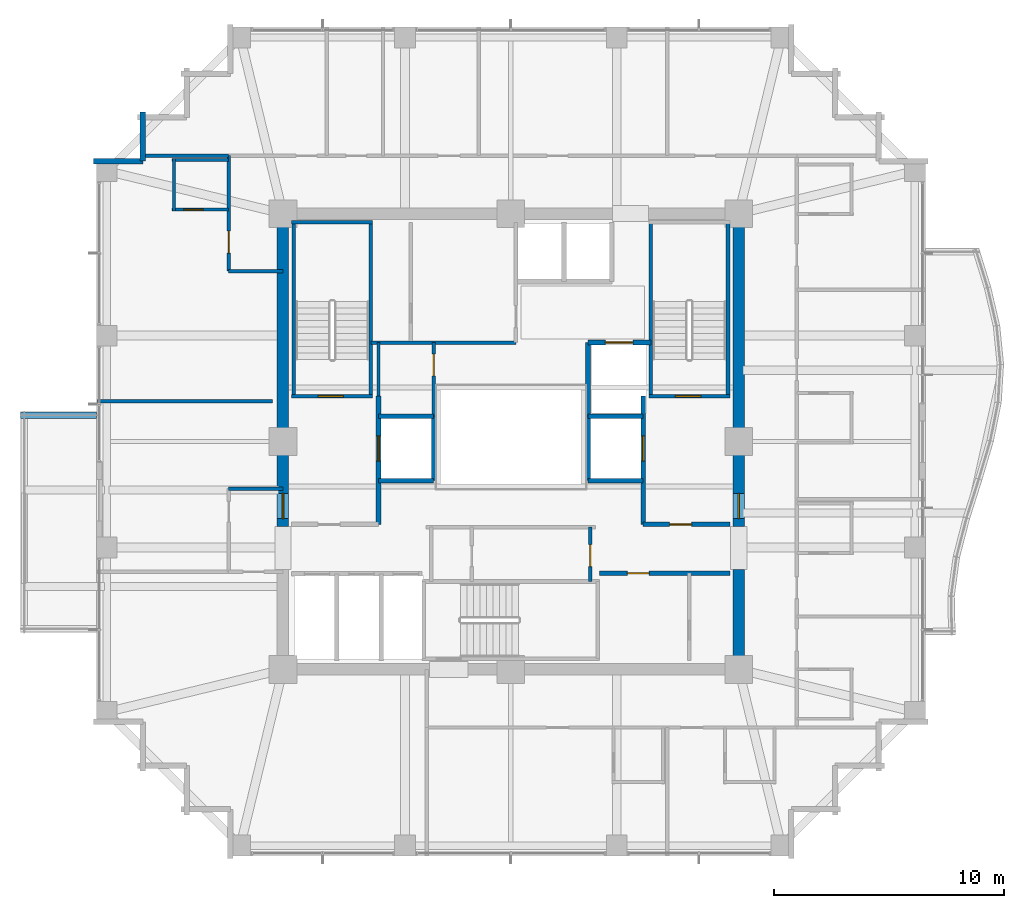
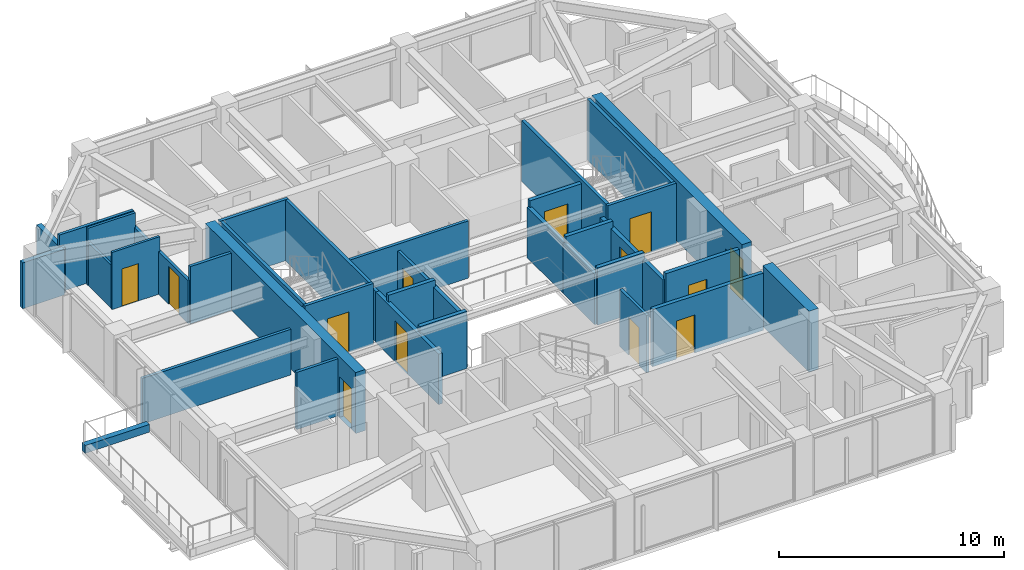
# One storey, part 28 of 32: 37 walls, 13 doors, 13 openings.
"""IFC4 building model written with IfcOpenShell, lengths in metres."""

from ifc_helpers import new_model, si_unit, direction, frame, frame_2d, origin, place, context, subcontext, project, spatial, rectangle, extrude, material, layer, layer_set, type_object, element, fill, save


model = new_model("IFC4")

# Units and contexts
model_context = context("Model", 3, precision=1e-05, world=origin(), true_north=direction((0.0, 1.0)))
body_context = subcontext(model_context, "Body", "Model", "MODEL_VIEW")
ifc_project = project(units=[si_unit("LENGTHUNIT", "METRE"), si_unit("AREAUNIT", "SQUARE_METRE"), si_unit("VOLUMEUNIT", "CUBIC_METRE"), si_unit("PLANEANGLEUNIT", "RADIAN"), si_unit("MASSUNIT", "GRAM", prefix="KILO")], contexts=[model_context])

# Site, building, storey
site_placement = place(None, origin())
site = spatial("IfcSite", under=ifc_project, at=site_placement, CompositionType="ELEMENT")
building_placement = place(site_placement, origin())
building = spatial("IfcBuilding", under=site, at=building_placement, Name="Kolvaren Belvedere", CompositionType="ELEMENT")
storey_placement = place(building_placement, frame((0.0, 0.0, 141.5)))
storey = spatial("IfcBuildingStorey", under=building, at=storey_placement, Name="L41", CompositionType="ELEMENT", Elevation=141.5)

# Wall
ifc_material_1 = material(Name="Concrete C50/60", Category="concrete")
ifc_layer_1 = layer(ifc_material_1, 0.5)
ifc_layer_set_1 = layer_set([ifc_layer_1], Name="Concrete C50/60")
wall_type_1 = type_object("IfcWallType", Name="CW-CORE-500", PredefinedType="SHEAR", material=ifc_layer_set_1)
wall_1_placement = place(storey_placement, frame((9.89990234375, -9.64990234375, 0.0), z_axis=(0.0, 0.0, 1.0), x_axis=(0.0, 1.0, 0.0)))
element("IfcWall", 1, at=wall_1_placement, inside=storey, type_object=wall_type_1, Name="L41 East Core Shear Wall 1", PredefinedType="SHEAR", context=body_context, shape_type="SweptSolid", body=[
    extrude(rectangle(XDim=4.099853515625, YDim=0.5, at=frame_2d((2.0498046875, 0.0))), origin(), (0.0, 0.0, 1.0), 3.300048828125),
])

# Wall, opening, door
wall_2_placement = place(storey_placement, frame((-9.89990234375, -3.699951171875, 0.0), z_axis=(0.0, 0.0, 1.0), x_axis=(0.0, 1.0, 0.0)))
wall_2 = element("IfcWall", 2, at=wall_2_placement, inside=storey, type_object=wall_type_1, Name="L41 West Core Shear Wall 2", PredefinedType="SHEAR", context=body_context, shape_type="SweptSolid", body=[
    extrude(rectangle(XDim=13.349853515625, YDim=0.5, at=frame_2d((6.6748046875, 0.0))), origin(), (0.0, 0.0, 1.0), 3.300048828125),
])
opening_1_placement = place(wall_2_placement, frame((0.35009765625, 0.0, 0.0)))
opening_1 = element("IfcOpeningElement", 3, at=opening_1_placement, cuts=wall_2, Name="Opening D-FD90", PredefinedType="OPENING", context=body_context, shape_type="SweptSolid", body=[
    extrude(rectangle(XDim=1.10009765625, YDim=2.199951171875, at=frame_2d((0.550048828125, 1.10009765625))), frame((0.0, 0.260009765625, 0.0), z_axis=(0.0, -1.0, 0.0), x_axis=(1.0, 0.0, 0.0)), (0.0, 0.0, 1.0), 0.52001953125),
])
ifc_material_2 = material(Name="Painted hollow stainless steel", Category="steel")
door_type_1 = type_object("IfcDoorType", Name="DR-FD90-1100", OperationType="NOTDEFINED", PredefinedType="DOOR", material=ifc_material_2)
door_1_placement = place(opening_1_placement, origin())
door_1 = element("IfcDoor", 4, at=door_1_placement, inside=storey, type_object=door_type_1, Name="L41 West Firefighting Lobby Fire Door", OperationType="SINGLE_SWING_LEFT", OverallHeight=2.199951171875, OverallWidth=1.10009765625, PredefinedType="DOOR", context=body_context, shape_type="SweptSolid", body=[
    extrude(rectangle(XDim=1.10009765625, YDim=2.199951171875, at=frame_2d((0.550048828125, 1.10009765625))), frame((0.0, 0.02490234375, 0.0), z_axis=(0.0, -1.0, 0.0), x_axis=(1.0, 0.0, 0.0)), (0.0, 0.0, 1.0), 0.050048828125),
])
fill(opening_1, door_1)

wall_3_placement = place(storey_placement, frame((9.89990234375, -3.699951171875, 0.0), z_axis=(0.0, 0.0, 1.0), x_axis=(0.0, 1.0, 0.0)))
wall_3 = element("IfcWall", 5, at=wall_3_placement, inside=storey, type_object=wall_type_1, Name="L41 East Core Shear Wall 2", PredefinedType="SHEAR", context=body_context, shape_type="SweptSolid", body=[
    extrude(rectangle(XDim=13.349853515625, YDim=0.5, at=frame_2d((6.6748046875, 0.0))), origin(), (0.0, 0.0, 1.0), 3.300048828125),
])
opening_2_placement = place(wall_3_placement, frame((0.35009765625, 0.0, 0.0)))
opening_2 = element("IfcOpeningElement", 6, at=opening_2_placement, cuts=wall_3, Name="Opening D-FD90", PredefinedType="OPENING", context=body_context, shape_type="SweptSolid", body=[
    extrude(rectangle(XDim=1.10009765625, YDim=2.199951171875, at=frame_2d((0.550048828125, 1.10009765625))), frame((0.0, 0.260009765625, 0.0), z_axis=(0.0, -1.0, 0.0), x_axis=(1.0, 0.0, 0.0)), (0.0, 0.0, 1.0), 0.52001953125),
])
door_2_placement = place(opening_2_placement, origin())
door_2 = element("IfcDoor", 7, at=door_2_placement, inside=storey, type_object=door_type_1, Name="L41 East Firefighting Lobby Fire Door", OperationType="SINGLE_SWING_RIGHT", OverallHeight=2.199951171875, OverallWidth=1.10009765625, PredefinedType="DOOR", context=body_context, shape_type="SweptSolid", body=[
    extrude(rectangle(XDim=1.10009765625, YDim=2.199951171875, at=frame_2d((0.550048828125, 1.10009765625))), frame((0.0, 0.02490234375, 0.0), z_axis=(0.0, -1.0, 0.0), x_axis=(1.0, 0.0, 0.0)), (0.0, 0.0, 1.0), 0.050048828125),
])
fill(opening_2, door_2)

ifc_material_3 = material(Name="Concrete C50/60", Category="concrete")
ifc_layer_2 = layer(ifc_material_3, 0.159912109375)
ifc_layer_set_2 = layer_set([ifc_layer_2], Name="Concrete C50/60")
wall_type_2 = type_object("IfcWallType", Name="CW-STAIR-160", PredefinedType="SHEAR", material=ifc_layer_set_2)
wall_4_placement = place(storey_placement, frame((-9.52001953125, 1.969970703125, 0.0), z_axis=(0.0, 0.0, 1.0), x_axis=(1.0, 0.0, 0.0)))
wall_4 = element("IfcWall", 8, at=wall_4_placement, inside=storey, type_object=wall_type_2, Name="L41 Stair ST-1 South Shear Wall", PredefinedType="SHEAR", context=body_context, shape_type="SweptSolid", body=[
    extrude(rectangle(XDim=3.52001953125, YDim=0.159912109375, at=frame_2d((1.760009765625, 0.0))), origin(), (0.0, 0.0, 1.0), 3.300048828125),
])
opening_3_placement = place(wall_4_placement, frame((1.14990234375, 0.0, 0.0)))
opening_3 = element("IfcOpeningElement", 9, at=opening_3_placement, cuts=wall_4, Name="Opening D-FD90", PredefinedType="OPENING", context=body_context, shape_type="SweptSolid", body=[
    extrude(rectangle(XDim=1.10009765625, YDim=2.199951171875, at=frame_2d((0.550048828125, 1.10009765625))), frame((0.0, 0.08984375, 0.0), z_axis=(0.0, -1.0, 0.0), x_axis=(1.0, 0.0, 0.0)), (0.0, 0.0, 1.0), 0.179931640625),
])
door_3_placement = place(opening_3_placement, origin())
door_3 = element("IfcDoor", 10, at=door_3_placement, inside=storey, type_object=door_type_1, Name="L41 Stair ST-1 Fire Door", OperationType="SINGLE_SWING_LEFT", OverallHeight=2.199951171875, OverallWidth=1.10009765625, PredefinedType="DOOR", context=body_context, shape_type="SweptSolid", body=[
    extrude(rectangle(XDim=1.10009765625, YDim=2.199951171875, at=frame_2d((0.550048828125, 1.10009765625))), frame((0.0, 0.02490234375, 0.0), z_axis=(0.0, -1.0, 0.0), x_axis=(1.0, 0.0, 0.0)), (0.0, 0.0, 1.0), 0.050048828125),
])
fill(opening_3, door_3)

# Walls
wall_5_placement = place(storey_placement, frame((-9.52001953125, 9.530029296875, 0.0), z_axis=(0.0, 0.0, 1.0), x_axis=(1.0, 0.0, 0.0)))
element("IfcWall", 11, at=wall_5_placement, inside=storey, type_object=wall_type_2, Name="L41 Stair ST-1 North Shear Wall", PredefinedType="SHEAR", context=body_context, shape_type="SweptSolid", body=[
    extrude(rectangle(XDim=3.52001953125, YDim=0.159912109375, at=frame_2d((1.760009765625, 0.0))), origin(), (0.0, 0.0, 1.0), 3.300048828125),
])
for number, where, z_axis, x_axis, name in (
    (12, (-9.429931640625, 1.969970703125, 0.0), (0.0, 0.0, 1.0), (0.0, 1.0, 0.0), "L41 Stair ST-1 West Shear Wall"),
    (13, (-6.080078125, 1.969970703125, 0.0), (0.0, 0.0, 1.0), (0.0, 1.0, 0.0), "L41 Stair ST-1 East Shear Wall"),
):
    element("IfcWall", number, at=place(storey_placement, frame(where, z_axis=z_axis, x_axis=x_axis)), inside=storey, type_object=wall_type_2, Name=name, PredefinedType="SHEAR", context=body_context, shape_type="SweptSolid", body=[
        extrude(rectangle(XDim=7.56005859375, YDim=0.159912109375, at=frame_2d((3.780029296875, 0.0))), origin(), (0.0, 0.0, 1.0), 3.300048828125),
    ])

# Wall, opening, door
wall_6_placement = place(storey_placement, frame((6.0, 1.969970703125, 0.0), z_axis=(0.0, 0.0, 1.0), x_axis=(1.0, 0.0, 0.0)))
wall_6 = element("IfcWall", 14, at=wall_6_placement, inside=storey, type_object=wall_type_2, Name="L41 Stair ST-2 South Shear Wall", PredefinedType="SHEAR", context=body_context, shape_type="SweptSolid", body=[
    extrude(rectangle(XDim=3.52001953125, YDim=0.159912109375, at=frame_2d((1.760009765625, 0.0))), origin(), (0.0, 0.0, 1.0), 3.300048828125),
])
opening_4_placement = place(wall_6_placement, frame((1.14990234375, 0.0, 0.0)))
opening_4 = element("IfcOpeningElement", 15, at=opening_4_placement, cuts=wall_6, Name="Opening D-FD90", PredefinedType="OPENING", context=body_context, shape_type="SweptSolid", body=[
    extrude(rectangle(XDim=1.10009765625, YDim=2.199951171875, at=frame_2d((0.550048828125, 1.10009765625))), frame((0.0, 0.08984375, 0.0), z_axis=(0.0, -1.0, 0.0), x_axis=(1.0, 0.0, 0.0)), (0.0, 0.0, 1.0), 0.179931640625),
])
door_4_placement = place(opening_4_placement, origin())
door_4 = element("IfcDoor", 16, at=door_4_placement, inside=storey, type_object=door_type_1, Name="L41 Stair ST-2 Fire Door", OperationType="SINGLE_SWING_RIGHT", OverallHeight=2.199951171875, OverallWidth=1.10009765625, PredefinedType="DOOR", context=body_context, shape_type="SweptSolid", body=[
    extrude(rectangle(XDim=1.10009765625, YDim=2.199951171875, at=frame_2d((0.550048828125, 1.10009765625))), frame((0.0, 0.02490234375, 0.0), z_axis=(0.0, -1.0, 0.0), x_axis=(1.0, 0.0, 0.0)), (0.0, 0.0, 1.0), 0.050048828125),
])
fill(opening_4, door_4)

# Walls
for number, where, z_axis, x_axis, name in (
    (17, (6.080078125, 1.969970703125, 0.0), (0.0, 0.0, 1.0), (0.0, 1.0, 0.0), "L41 Stair ST-2 West Shear Wall"),
    (18, (9.429931640625, 1.969970703125, 0.0), (0.0, 0.0, 1.0), (0.0, 1.0, 0.0), "L41 Stair ST-2 East Shear Wall"),
):
    element("IfcWall", number, at=place(storey_placement, frame(where, z_axis=z_axis, x_axis=x_axis)), inside=storey, type_object=wall_type_2, Name=name, PredefinedType="SHEAR", context=body_context, shape_type="SweptSolid", body=[
        extrude(rectangle(XDim=7.56005859375, YDim=0.159912109375, at=frame_2d((3.780029296875, 0.0))), origin(), (0.0, 0.0, 1.0), 3.300048828125),
    ])

# Wall, opening, door
ifc_material_4 = material(Name="Gypsum fire-rated partition assembly", Category="gypsum")
ifc_layer_3 = layer(ifc_material_4, 0.14990234375)
ifc_layer_set_3 = layer_set([ifc_layer_3], Name="Gypsum fire-rated partition assembly")
wall_type_3 = type_object("IfcWallType", Name="WL-CORR-150", PredefinedType="PARTITIONING", material=ifc_layer_set_3)
wall_7_placement = place(storey_placement, frame((-12.260009765625, 7.39990234375, 0.0), z_axis=(0.0, 0.0, 1.0), x_axis=(0.0, 1.0, 0.0)))
wall_7 = element("IfcWall", 19, at=wall_7_placement, inside=storey, type_object=wall_type_3, Name="L41 NW Corridor End Wall", PredefinedType="PARTITIONING", context=body_context, shape_type="SweptSolid", body=[
    extrude(rectangle(XDim=5.02001953125, YDim=0.14990234375, at=frame_2d((2.510009765625, 0.0))), origin(), (0.0, 0.0, 1.0), 2.31201171875),
])
opening_5_placement = place(wall_7_placement, frame((0.7861328125, 0.0, 0.0)))
opening_5 = element("IfcOpeningElement", 20, at=opening_5_placement, cuts=wall_7, Name="Opening D-FD60", PredefinedType="OPENING", context=body_context, shape_type="SweptSolid", body=[
    extrude(rectangle(XDim=0.949951171875, YDim=2.06005859375, at=frame_2d((0.47509765625, 1.030029296875))), frame((0.0, 0.0849609375, 0.0), z_axis=(0.0, -1.0, 0.0), x_axis=(1.0, 0.0, 0.0)), (0.0, 0.0, 1.0), 0.169921875),
])
ifc_material_5 = material(Name="Acoustic white-oak fire door leaf", Category="timber")
door_type_2 = type_object("IfcDoorType", Name="DR-FD60-950", OperationType="NOTDEFINED", PredefinedType="DOOR", material=ifc_material_5)
door_5_placement = place(opening_5_placement, origin())
door_5 = element("IfcDoor", 21, at=door_5_placement, inside=storey, type_object=door_type_2, Name="L41 Deluxe King Guest Room 4108 Entry Door", OperationType="SINGLE_SWING_LEFT", OverallHeight=2.06005859375, OverallWidth=0.949951171875, PredefinedType="DOOR", context=body_context, shape_type="SweptSolid", body=[
    extrude(rectangle(XDim=0.949951171875, YDim=2.06005859375, at=frame_2d((0.47509765625, 1.030029296875))), frame((0.0, 0.02490234375, 0.0), z_axis=(0.0, -1.0, 0.0), x_axis=(1.0, 0.0, 0.0)), (0.0, 0.0, 1.0), 0.050048828125),
])
fill(opening_5, door_5)

# Walls
for number, where, z_axis, x_axis, name in (
    (22, (-12.260009765625, 7.39990234375, 0.0), (0.0, 0.0, 1.0), (1.0, 0.0, 0.0), "L41 NW Core Closure Wall"),
    (23, (-12.260009765625, -2.050048828125, 0.0), (0.0, 0.0, 1.0), (1.0, 0.0, 0.0), "L41 West Pocket North Closure Wall"),
):
    element("IfcWall", number, at=place(storey_placement, frame(where, z_axis=z_axis, x_axis=x_axis)), inside=storey, type_object=wall_type_3, Name=name, PredefinedType="PARTITIONING", context=body_context, shape_type="SweptSolid", body=[
        extrude(rectangle(XDim=2.360107421875, YDim=0.14990234375, at=frame_2d((1.18017578125, 0.0))), origin(), (0.0, 0.0, 1.0), 3.10009765625),
    ])
ifc_material_6 = material(Name="Insulated pale-metal facade wall assembly", Category="aluminium")
ifc_layer_4 = layer(ifc_material_6, 0.239990234375)
ifc_layer_set_4 = layer_set([ifc_layer_4], Name="Insulated pale-metal facade wall assembly")
wall_type_4 = type_object("IfcWallType", Name="WL-EXT-240", PredefinedType="STANDARD", material=ifc_layer_set_4)
for number, where, z_axis, x_axis, name in (
    (24, (-15.97998046875, 12.179931640625, 0.0), (0.0, 0.0, 1.0), (0.0, 1.0, 0.0), "L41 Serrated Corner Facade Wall 20"),
    (25, (-18.1201171875, 12.179931640625, 0.0), (0.0, 0.0, 1.0), (1.0, 0.0, 0.0), "L41 Serrated Corner Facade Wall 21"),
):
    element("IfcWall", number, at=place(storey_placement, frame(where, z_axis=z_axis, x_axis=x_axis)), inside=storey, type_object=wall_type_4, Name=name, PredefinedType="STANDARD", context=body_context, shape_type="SweptSolid", body=[
        extrude(rectangle(XDim=2.14013671875, YDim=0.239990234375, at=frame_2d((1.070068359375, 0.0))), origin(), (0.0, 0.0, 1.0), 2.47900390625),
    ])
ifc_material_7 = material(Name="Gypsum acoustic partition assembly", Category="gypsum")
ifc_layer_5 = layer(ifc_material_7, 0.14990234375)
ifc_layer_set_5 = layer_set([ifc_layer_5], Name="Gypsum acoustic partition assembly")
wall_type_5 = type_object("IfcWallType", Name="WL-PART-150", PredefinedType="PARTITIONING", material=ifc_layer_set_5)
wall_8_placement = place(storey_placement, frame((-6.080078125, 4.300048828125, 0.0), z_axis=(0.0, 0.0, 1.0), x_axis=(1.0, 0.0, 0.0)))
element("IfcWall", 26, at=wall_8_placement, inside=storey, type_object=wall_type_5, Name="L41 Reclaimed Salon South Wall", PredefinedType="PARTITIONING", context=body_context, shape_type="SweptSolid", body=[
    extrude(rectangle(XDim=6.300048828125, YDim=0.14990234375, at=frame_2d((3.14990234375, 0.0))), origin(), (0.0, 0.0, 1.0), 3.10009765625),
])

# Wall, opening, door
wall_9_placement = place(storey_placement, frame((3.449951171875, -6.080078125, 0.0), z_axis=(0.0, 0.0, 1.0), x_axis=(0.0, 1.0, 0.0)))
wall_9 = element("IfcWall", 27, at=wall_9_placement, inside=storey, type_object=wall_type_5, Name="L41 South Core Service East Wall", PredefinedType="PARTITIONING", context=body_context, shape_type="SweptSolid", body=[
    extrude(rectangle(XDim=2.360107421875, YDim=0.14990234375, at=frame_2d((1.18017578125, 0.0))), origin(), (0.0, 0.0, 1.0), 3.10009765625),
])
opening_6_placement = place(wall_9_placement, frame((0.64990234375, 0.0, 0.0)))
opening_6 = element("IfcOpeningElement", 28, at=opening_6_placement, cuts=wall_9, Name="Opening D-FD60", PredefinedType="OPENING", context=body_context, shape_type="SweptSolid", body=[
    extrude(rectangle(XDim=0.949951171875, YDim=2.06005859375, at=frame_2d((0.47509765625, 1.030029296875))), frame((0.0, 0.0849609375, 0.0), z_axis=(0.0, -1.0, 0.0), x_axis=(1.0, 0.0, 0.0)), (0.0, 0.0, 1.0), 0.169921875),
])
door_6_placement = place(opening_6_placement, origin())
door_6 = element("IfcDoor", 29, at=door_6_placement, inside=storey, type_object=door_type_2, Name="L41 Core Service Room Door", OperationType="SINGLE_SWING_LEFT", OverallHeight=2.06005859375, OverallWidth=0.949951171875, PredefinedType="DOOR", context=body_context, shape_type="SweptSolid", body=[
    extrude(rectangle(XDim=0.949951171875, YDim=2.06005859375, at=frame_2d((0.47509765625, 1.030029296875))), frame((0.0, 0.02490234375, 0.0), z_axis=(0.0, -1.0, 0.0), x_axis=(1.0, 0.0, 0.0)), (0.0, 0.0, 1.0), 0.050048828125),
])
fill(opening_6, door_6)

wall_10_placement = place(storey_placement, frame((-3.35009765625, 1.10009765625, 0.0), z_axis=(0.0, 0.0, 1.0), x_axis=(0.0, 1.0, 0.0)))
wall_10 = element("IfcWall", 30, at=wall_10_placement, inside=storey, type_object=wall_type_5, Name="L41 NW Service Room East Wall", PredefinedType="PARTITIONING", context=body_context, shape_type="SweptSolid", body=[
    extrude(rectangle(XDim=3.199951171875, YDim=0.14990234375, at=frame_2d((1.60009765625, 0.0))), origin(), (0.0, 0.0, 1.0), 2.735107421875),
])
opening_7_placement = place(wall_10_placement, frame((1.75, 0.0, 0.0)))
opening_7 = element("IfcOpeningElement", 31, at=opening_7_placement, cuts=wall_10, Name="Opening D-FD60", PredefinedType="OPENING", context=body_context, shape_type="SweptSolid", body=[
    extrude(rectangle(XDim=0.949951171875, YDim=2.06005859375, at=frame_2d((0.47509765625, 1.030029296875))), frame((0.0, 0.0849609375, 0.0), z_axis=(0.0, -1.0, 0.0), x_axis=(1.0, 0.0, 0.0)), (0.0, 0.0, 1.0), 0.169921875),
])
door_7_placement = place(opening_7_placement, origin())
door_7 = element("IfcDoor", 32, at=door_7_placement, inside=storey, type_object=door_type_2, Name="L41 NW Core Store Door", OperationType="SINGLE_SWING_LEFT", OverallHeight=2.06005859375, OverallWidth=0.949951171875, PredefinedType="DOOR", context=body_context, shape_type="SweptSolid", body=[
    extrude(rectangle(XDim=0.949951171875, YDim=2.06005859375, at=frame_2d((0.47509765625, 1.030029296875))), frame((0.0, 0.02490234375, 0.0), z_axis=(0.0, -1.0, 0.0), x_axis=(1.0, 0.0, 0.0)), (0.0, 0.0, 1.0), 0.050048828125),
])
fill(opening_7, door_7)

# Walls
wall_11_placement = place(storey_placement, frame((-5.75, 1.969970703125, 0.0), z_axis=(0.0, 0.0, 1.0), x_axis=(0.0, 1.0, 0.0)))
element("IfcWall", 33, at=wall_11_placement, inside=storey, type_object=wall_type_5, Name="L41 NW Service Room West Wall", PredefinedType="PARTITIONING", context=body_context, shape_type="SweptSolid", body=[
    extrude(rectangle(XDim=2.330078125, YDim=0.14990234375, at=frame_2d((1.1650390625, 0.0))), origin(), (0.0, 0.0, 1.0), 2.735107421875),
])
wall_12_placement = place(storey_placement, frame((-16.080078125, 12.419921875, 0.0), z_axis=(0.0, 0.0, 1.0), x_axis=(1.0, 0.0, 0.0)))
element("IfcWall", 34, at=wall_12_placement, inside=storey, type_object=wall_type_5, Name="L41 Wing Divider PW-L41-QNW", PredefinedType="PARTITIONING", context=body_context, shape_type="SweptSolid", body=[
    extrude(rectangle(XDim=3.820068359375, YDim=0.14990234375, at=frame_2d((1.91015625, 0.0))), origin(), (0.0, 0.0, 1.0), 3.10009765625),
])
wall_13_placement = place(storey_placement, frame((-17.97998046875, 1.75, 0.0), z_axis=(0.0, 0.0, 1.0), x_axis=(1.0, 0.0, 0.0)))
element("IfcWall", 35, at=wall_13_placement, inside=storey, type_object=wall_type_5, Name="L41 West Upper Suite Divider", PredefinedType="PARTITIONING", context=body_context, shape_type="SweptSolid", body=[
    extrude(rectangle(XDim=7.619873046875, YDim=0.14990234375, at=frame_2d((3.81005859375, 0.0))), origin(), (0.0, 0.0, 1.0), 2.468994140625),
])
ifc_material_8 = material(Name="Precast concrete C40/50", Category="concrete")
ifc_layer_6 = layer(ifc_material_8, 0.300048828125)
ifc_layer_set_6 = layer_set([ifc_layer_6], Name="Precast concrete C40/50")
wall_type_6 = type_object("IfcWallType", Name="WL-PLANTER-300", PredefinedType="PARAPET", material=ifc_layer_set_6)
wall_14_placement = place(storey_placement, frame((-18.0, 1.139892578125, -0.02001953125), z_axis=(0.0, 0.0, 1.0), x_axis=(-1.0, 0.0, 0.0)))
element("IfcWall", 36, at=wall_14_placement, inside=storey, type_object=wall_type_6, Name="L41 Precast Structural Planter Wall SPIRAL-06-W-3", PredefinedType="PARAPET", context=body_context, shape_type="SweptSolid", body=[
    extrude(rectangle(XDim=3.300048828125, YDim=0.280029296875, at=frame_2d((1.64990234375, 0.0))), origin(), (0.0, 0.0, 1.0), 0.419921875),
])

# Wall, opening, door
ifc_material_9 = material(Name="Concrete C50/60", Category="concrete")
ifc_layer_7 = layer(ifc_material_9, 0.199951171875)
ifc_layer_set_7 = layer_set([ifc_layer_7], Name="Concrete C50/60")
wall_type_7 = type_object("IfcWallType", Name="WL-SHAFT-200", PredefinedType="SOLIDWALL", material=ifc_layer_set_7)
wall_15_placement = place(storey_placement, frame((-5.75, -3.60009765625, 0.0), z_axis=(0.0, 0.0, 1.0), x_axis=(0.0, 1.0, 0.0)))
wall_15 = element("IfcWall", 37, at=wall_15_placement, inside=storey, type_object=wall_type_7, Name="L41 FSAE FS1 Landing Wall", PredefinedType="SOLIDWALL", context=body_context, shape_type="SweptSolid", body=[
    extrude(rectangle(XDim=5.570068359375, YDim=0.199951171875, at=frame_2d((2.78515625, 0.0))), origin(), (0.0, 0.0, 1.0), 2.735107421875),
])
opening_8_placement = place(wall_15_placement, frame((2.75, 0.0, 0.0)))
opening_8 = element("IfcOpeningElement", 38, at=opening_8_placement, cuts=wall_15, Name="Opening LD-11", PredefinedType="OPENING", context=body_context, shape_type="SweptSolid", body=[
    extrude(rectangle(XDim=1.10009765625, YDim=2.199951171875, at=frame_2d((0.550048828125, 1.10009765625))), frame((0.0, 0.10986328125, 0.0), z_axis=(0.0, -1.0, 0.0), x_axis=(1.0, 0.0, 0.0)), (0.0, 0.0, 1.0), 0.219970703125),
])
ifc_material_10 = material(Name="Brushed stainless steel", Category="steel")
door_type_3 = type_object("IfcDoorType", Name="DR-LIFT-1100", OperationType="DOUBLE_DOOR_SLIDING", PredefinedType="DOOR", material=ifc_material_10)
door_8_placement = place(opening_8_placement, origin())
door_8 = element("IfcDoor", 39, at=door_8_placement, inside=storey, type_object=door_type_3, Name="L41 Firefighting Lift FS1 Landing Door", OperationType="DOUBLE_DOOR_SLIDING", OverallHeight=2.199951171875, OverallWidth=1.10009765625, PredefinedType="DOOR", context=body_context, shape_type="SweptSolid", body=[
    extrude(rectangle(XDim=1.10009765625, YDim=2.199951171875, at=frame_2d((0.550048828125, 1.10009765625))), frame((0.0, 0.02490234375, 0.0), z_axis=(0.0, -1.0, 0.0), x_axis=(1.0, 0.0, 0.0)), (0.0, 0.0, 1.0), 0.050048828125),
])
fill(opening_8, door_8)

# Walls
wall_16_placement = place(storey_placement, frame((-3.35009765625, -1.699951171875, 0.0), z_axis=(0.0, 0.0, 1.0), x_axis=(0.0, 1.0, 0.0)))
element("IfcWall", 40, at=wall_16_placement, inside=storey, type_object=wall_type_7, Name="L41 FSAE FS1 Back Wall", PredefinedType="SOLIDWALL", context=body_context, shape_type="SweptSolid", body=[
    extrude(rectangle(XDim=2.800048828125, YDim=0.199951171875, at=frame_2d((1.39990234375, 0.0))), origin(), (0.0, 0.0, 1.0), 2.735107421875),
])
for number, where, z_axis, x_axis, name in (
    (41, (-5.75, -1.699951171875, 0.0), (0.0, 0.0, 1.0), (1.0, 0.0, 0.0), "L41 FSAE FS1 South Wall"),
    (42, (-5.75, 1.10009765625, 0.0), (0.0, 0.0, 1.0), (1.0, 0.0, 0.0), "L41 FSAE FS1 North Wall"),
):
    element("IfcWall", number, at=place(storey_placement, frame(where, z_axis=z_axis, x_axis=x_axis)), inside=storey, type_object=wall_type_7, Name=name, PredefinedType="SOLIDWALL", context=body_context, shape_type="SweptSolid", body=[
        extrude(rectangle(XDim=2.39990234375, YDim=0.199951171875, at=frame_2d((1.199951171875, 0.0))), origin(), (0.0, 0.0, 1.0), 3.10009765625),
    ])

# Wall, opening, door
wall_17_placement = place(storey_placement, frame((5.75, -3.60009765625, 0.0), z_axis=(0.0, 0.0, 1.0), x_axis=(1.0, 0.0, 0.0)))
wall_17 = element("IfcWall", 43, at=wall_17_placement, inside=storey, type_object=wall_type_7, Name="L41 East FSAE Lobby South Wall", PredefinedType="SOLIDWALL", context=body_context, shape_type="SweptSolid", body=[
    extrude(rectangle(XDim=3.77001953125, YDim=0.199951171875, at=frame_2d((1.885009765625, 0.0))), origin(), (0.0, 0.0, 1.0), 3.10009765625),
])
opening_9_placement = place(wall_17_placement, frame((1.14990234375, 0.0, 0.0)))
opening_9 = element("IfcOpeningElement", 44, at=opening_9_placement, cuts=wall_17, Name="Opening D-FD60", PredefinedType="OPENING", context=body_context, shape_type="SweptSolid", body=[
    extrude(rectangle(XDim=0.949951171875, YDim=2.06005859375, at=frame_2d((0.47509765625, 1.030029296875))), frame((0.0, 0.10986328125, 0.0), z_axis=(0.0, -1.0, 0.0), x_axis=(1.0, 0.0, 0.0)), (0.0, 0.0, 1.0), 0.219970703125),
])
door_9_placement = place(opening_9_placement, origin())
door_9 = element("IfcDoor", 45, at=door_9_placement, inside=storey, type_object=door_type_2, Name="L41 SE Lift Lobby Fire Door", OperationType="SINGLE_SWING_RIGHT", OverallHeight=2.06005859375, OverallWidth=0.949951171875, PredefinedType="DOOR", context=body_context, shape_type="SweptSolid", body=[
    extrude(rectangle(XDim=0.949951171875, YDim=2.06005859375, at=frame_2d((0.47509765625, 1.030029296875))), frame((0.0, 0.02490234375, 0.0), z_axis=(0.0, -1.0, 0.0), x_axis=(1.0, 0.0, 0.0)), (0.0, 0.0, 1.0), 0.050048828125),
])
fill(opening_9, door_9)

wall_18_placement = place(storey_placement, frame((5.75, -3.60009765625, 0.0), z_axis=(0.0, 0.0, 1.0), x_axis=(0.0, 1.0, 0.0)))
wall_18 = element("IfcWall", 46, at=wall_18_placement, inside=storey, type_object=wall_type_7, Name="L41 FSAE FS2 Landing Wall", PredefinedType="SOLIDWALL", context=body_context, shape_type="SweptSolid", body=[
    extrude(rectangle(XDim=5.570068359375, YDim=0.199951171875, at=frame_2d((2.78515625, 0.0))), origin(), (0.0, 0.0, 1.0), 2.735107421875),
])
opening_10_placement = place(wall_18_placement, frame((2.75, 0.0, 0.0)))
opening_10 = element("IfcOpeningElement", 47, at=opening_10_placement, cuts=wall_18, Name="Opening LD-11", PredefinedType="OPENING", context=body_context, shape_type="SweptSolid", body=[
    extrude(rectangle(XDim=1.10009765625, YDim=2.199951171875, at=frame_2d((0.550048828125, 1.10009765625))), frame((0.0, 0.10986328125, 0.0), z_axis=(0.0, -1.0, 0.0), x_axis=(1.0, 0.0, 0.0)), (0.0, 0.0, 1.0), 0.219970703125),
])
door_10_placement = place(opening_10_placement, origin())
door_10 = element("IfcDoor", 48, at=door_10_placement, inside=storey, type_object=door_type_3, Name="L41 Firefighting Lift FS2 Landing Door", OperationType="DOUBLE_DOOR_SLIDING", OverallHeight=2.199951171875, OverallWidth=1.10009765625, PredefinedType="DOOR", context=body_context, shape_type="SweptSolid", body=[
    extrude(rectangle(XDim=1.10009765625, YDim=2.199951171875, at=frame_2d((0.550048828125, 1.10009765625))), frame((0.0, 0.02490234375, 0.0), z_axis=(0.0, -1.0, 0.0), x_axis=(1.0, 0.0, 0.0)), (0.0, 0.0, 1.0), 0.050048828125),
])
fill(opening_10, door_10)

# Walls
wall_19_placement = place(storey_placement, frame((3.35009765625, -1.699951171875, 0.0), z_axis=(0.0, 0.0, 1.0), x_axis=(0.0, 1.0, 0.0)))
element("IfcWall", 49, at=wall_19_placement, inside=storey, type_object=wall_type_7, Name="L41 FSAE FS2 Back Wall", PredefinedType="SOLIDWALL", context=body_context, shape_type="SweptSolid", body=[
    extrude(rectangle(XDim=2.800048828125, YDim=0.199951171875, at=frame_2d((1.39990234375, 0.0))), origin(), (0.0, 0.0, 1.0), 2.735107421875),
])
for number, where, z_axis, x_axis, name in (
    (50, (3.35009765625, -1.699951171875, 0.0), (0.0, 0.0, 1.0), (1.0, 0.0, 0.0), "L41 FSAE FS2 South Wall"),
    (51, (3.35009765625, 1.10009765625, 0.0), (0.0, 0.0, 1.0), (1.0, 0.0, 0.0), "L41 FSAE FS2 North Wall"),
):
    element("IfcWall", number, at=place(storey_placement, frame(where, z_axis=z_axis, x_axis=x_axis)), inside=storey, type_object=wall_type_7, Name=name, PredefinedType="SOLIDWALL", context=body_context, shape_type="SweptSolid", body=[
        extrude(rectangle(XDim=2.39990234375, YDim=0.199951171875, at=frame_2d((1.199951171875, 0.0))), origin(), (0.0, 0.0, 1.0), 3.10009765625),
    ])

# Wall, opening, door
wall_20_placement = place(storey_placement, frame((3.35009765625, 4.300048828125, 0.0), z_axis=(0.0, 0.0, 1.0), x_axis=(1.0, 0.0, 0.0)))
wall_20 = element("IfcWall", 52, at=wall_20_placement, inside=storey, type_object=wall_type_7, Name="L41 Service Lift SV1 Front Wall", PredefinedType="SOLIDWALL", context=body_context, shape_type="SweptSolid", body=[
    extrude(rectangle(XDim=2.72998046875, YDim=0.199951171875, at=frame_2d((1.364990234375, 0.0))), origin(), (0.0, 0.0, 1.0), 3.10009765625),
])
opening_11_placement = place(wall_20_placement, frame((0.75, 0.0, 0.0)))
opening_11 = element("IfcOpeningElement", 53, at=opening_11_placement, cuts=wall_20, Name="Opening LD-12", PredefinedType="OPENING", context=body_context, shape_type="SweptSolid", body=[
    extrude(rectangle(XDim=1.199951171875, YDim=2.25, at=frame_2d((0.60009765625, 1.125))), frame((0.0, 0.10986328125, 0.0), z_axis=(0.0, -1.0, 0.0), x_axis=(1.0, 0.0, 0.0)), (0.0, 0.0, 1.0), 0.219970703125),
])
ifc_material_11 = material(Name="Brushed stainless steel", Category="steel")
door_type_4 = type_object("IfcDoorType", Name="DR-LIFT-1200", OperationType="DOUBLE_DOOR_SLIDING", PredefinedType="DOOR", material=ifc_material_11)
door_11_placement = place(opening_11_placement, origin())
door_11 = element("IfcDoor", 54, at=door_11_placement, inside=storey, type_object=door_type_4, Name="L41 Service Lift SV1 Landing Door", OperationType="DOUBLE_DOOR_SLIDING", OverallHeight=2.25, OverallWidth=1.199951171875, PredefinedType="DOOR", context=body_context, shape_type="SweptSolid", body=[
    extrude(rectangle(XDim=1.199951171875, YDim=2.25, at=frame_2d((0.60009765625, 1.125))), frame((0.0, 0.02490234375, 0.0), z_axis=(0.0, -1.0, 0.0), x_axis=(1.0, 0.0, 0.0)), (0.0, 0.0, 1.0), 0.050048828125),
])
fill(opening_11, door_11)

# Wall
wall_21_placement = place(storey_placement, frame((3.35009765625, 1.10009765625, 0.0), z_axis=(0.0, 0.0, 1.0), x_axis=(0.0, 1.0, 0.0)))
element("IfcWall", 55, at=wall_21_placement, inside=storey, type_object=wall_type_7, Name="L41 Service Lift SV1 West Wall", PredefinedType="SOLIDWALL", context=body_context, shape_type="SweptSolid", body=[
    extrude(rectangle(XDim=3.199951171875, YDim=0.199951171875, at=frame_2d((1.60009765625, 0.0))), origin(), (0.0, 0.0, 1.0), 2.735107421875),
])

# Wall, opening, door
wall_22_placement = place(storey_placement, frame((3.860107421875, -5.719970703125, 0.0), z_axis=(0.0, 0.0, 1.0), x_axis=(1.0, 0.0, 0.0)))
wall_22 = element("IfcWall", 56, at=wall_22_placement, inside=storey, type_object=wall_type_7, Name="L41 SE Core Distribution Wall", PredefinedType="SOLIDWALL", context=body_context, shape_type="SweptSolid", body=[
    extrude(rectangle(XDim=5.659912109375, YDim=0.199951171875, at=frame_2d((2.830078125, 0.0))), origin(), (0.0, 0.0, 1.0), 3.10009765625),
])
opening_12_placement = place(wall_22_placement, frame((1.199951171875, 0.0, 0.0)))
opening_12 = element("IfcOpeningElement", 57, at=opening_12_placement, cuts=wall_22, Name="Opening D-FD60", PredefinedType="OPENING", context=body_context, shape_type="SweptSolid", body=[
    extrude(rectangle(XDim=0.949951171875, YDim=2.06005859375, at=frame_2d((0.47509765625, 1.030029296875))), frame((0.0, 0.10986328125, 0.0), z_axis=(0.0, -1.0, 0.0), x_axis=(1.0, 0.0, 0.0)), (0.0, 0.0, 1.0), 0.219970703125),
])
door_12_placement = place(opening_12_placement, origin())
door_12 = element("IfcDoor", 58, at=door_12_placement, inside=storey, type_object=door_type_2, Name="L41 SE BMS Store Door", OperationType="SINGLE_SWING_RIGHT", OverallHeight=2.06005859375, OverallWidth=0.949951171875, PredefinedType="DOOR", context=body_context, shape_type="SweptSolid", body=[
    extrude(rectangle(XDim=0.949951171875, YDim=2.06005859375, at=frame_2d((0.47509765625, 1.030029296875))), frame((0.0, 0.02490234375, 0.0), z_axis=(0.0, -1.0, 0.0), x_axis=(1.0, 0.0, 0.0)), (0.0, 0.0, 1.0), 0.050048828125),
])
fill(opening_12, door_12)

ifc_material_12 = material(Name="Moisture-resistant gypsum partition", Category="gypsum")
ifc_layer_8 = layer(ifc_material_12, 0.125)
ifc_layer_set_8 = layer_set([ifc_layer_8], Name="Moisture-resistant gypsum partition")
wall_type_8 = type_object("IfcWallType", Name="WL-WET-125", PredefinedType="PARTITIONING", material=ifc_layer_set_8)
wall_23_placement = place(storey_placement, frame((-14.715087890625, 10.074951171875, 0.0), z_axis=(0.0, 0.0, 1.0), x_axis=(1.0, 0.0, 0.0)))
wall_23 = element("IfcWall", 59, at=wall_23_placement, inside=storey, type_object=wall_type_8, Name="L41 Bathroom Partition PW-L41-BTH-8-N", PredefinedType="PARTITIONING", context=body_context, shape_type="SweptSolid", body=[
    extrude(rectangle(XDim=2.440185546875, YDim=0.125, at=frame_2d((1.22021484375, 0.0))), origin(), (0.0, 0.0, 1.0), 3.10009765625),
])
opening_13_placement = place(wall_23_placement, frame((0.5, 0.0, 0.0)))
opening_13 = element("IfcOpeningElement", 60, at=opening_13_placement, cuts=wall_23, Name="Opening D-BTH85", PredefinedType="OPENING", context=body_context, shape_type="SweptSolid", body=[
    extrude(rectangle(XDim=0.85009765625, YDim=2.030029296875, at=frame_2d((0.425048828125, 1.01513671875))), frame((0.0, 0.072509765625, 0.0), z_axis=(0.0, -1.0, 0.0), x_axis=(1.0, 0.0, 0.0)), (0.0, 0.0, 1.0), 0.14501953125),
])
ifc_material_13 = material(Name="Moisture-sealed Pacific white oak", Category="timber")
door_type_5 = type_object("IfcDoorType", Name="DR-BATH-850", OperationType="NOTDEFINED", PredefinedType="DOOR", material=ifc_material_13)
door_13_placement = place(opening_13_placement, origin())
door_13 = element("IfcDoor", 61, at=door_13_placement, inside=storey, type_object=door_type_5, Name="L41 En-Suite Bathroom 4108 Door", OperationType="SINGLE_SWING_RIGHT", OverallHeight=2.030029296875, OverallWidth=0.85009765625, PredefinedType="DOOR", context=body_context, shape_type="SweptSolid", body=[
    extrude(rectangle(XDim=0.85009765625, YDim=2.030029296875, at=frame_2d((0.425048828125, 1.01513671875))), frame((0.0, 0.02490234375, 0.0), z_axis=(0.0, -1.0, 0.0), x_axis=(1.0, 0.0, 0.0)), (0.0, 0.0, 1.0), 0.050048828125),
])
fill(opening_13, door_13)

# Walls
wall_24_placement = place(storey_placement, frame((-14.635009765625, 10.014892578125, 0.0), z_axis=(0.0, 0.0, 1.0), x_axis=(0.0, 1.0, 0.0)))
element("IfcWall", 62, at=wall_24_placement, inside=storey, type_object=wall_type_8, Name="L41 Bathroom Partition PW-L41-BTH-8-V", PredefinedType="PARTITIONING", context=body_context, shape_type="SweptSolid", body=[
    extrude(rectangle(XDim=2.27001953125, YDim=0.125, at=frame_2d((1.135009765625, 0.0))), origin(), (0.0, 0.0, 1.0), 2.31201171875),
])
wall_25_placement = place(storey_placement, frame((-14.715087890625, 12.22509765625, 0.0), z_axis=(0.0, 0.0, 1.0), x_axis=(1.0, 0.0, 0.0)))
element("IfcWall", 63, at=wall_25_placement, inside=storey, type_object=wall_type_8, Name="L41 Bathroom Partition PW-L41-BTH-8-S", PredefinedType="PARTITIONING", context=body_context, shape_type="SweptSolid", body=[
    extrude(rectangle(XDim=2.440185546875, YDim=0.125, at=frame_2d((1.22021484375, 0.0))), origin(), (0.0, 0.0, 1.0), 3.10009765625),
])

save(model, "model.ifc")
